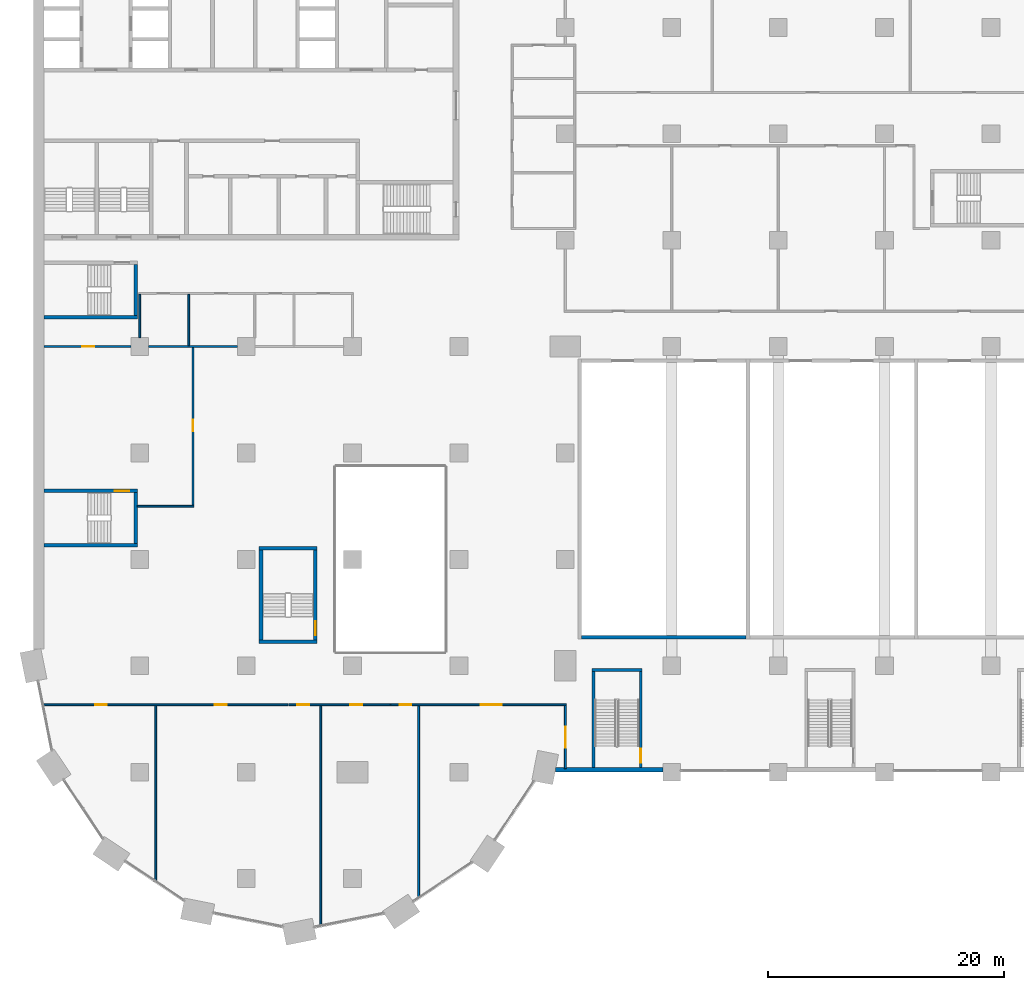
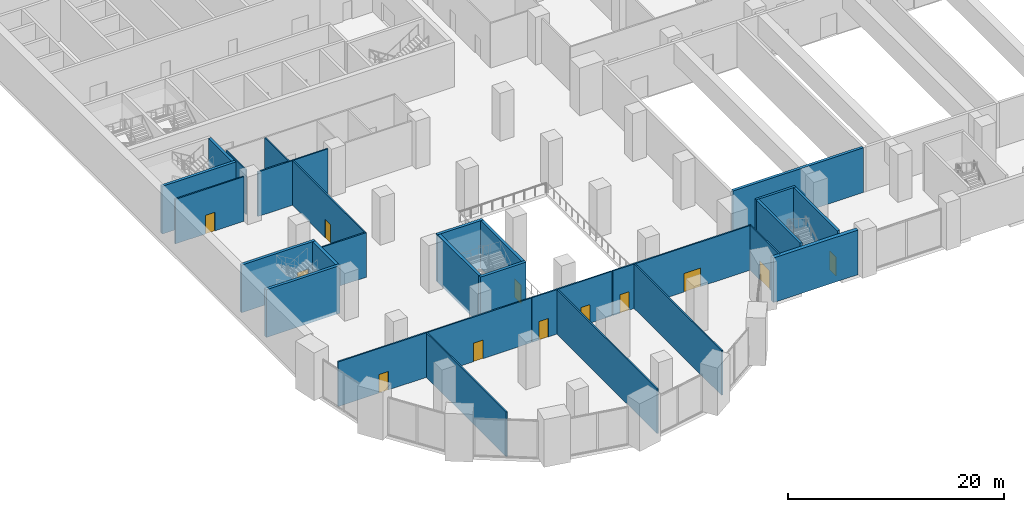
# One storey, part 15 of 43: 27 walls, 12 doors, 12 openings.
"""IFC4 building model written with IfcOpenShell, lengths in metres."""

from ifc_helpers import new_model, si_unit, direction, frame, frame_2d, origin, place, context, subcontext, project, spatial, rectangle, extrude, material, layer, layer_set, type_object, element, fill, save


model = new_model("IFC4")

# Units and contexts
model_context = context("Model", 3, precision=1e-05, world=origin(), true_north=direction((0.0, 1.0)))
body_context = subcontext(model_context, "Body", "Model", "MODEL_VIEW")
ifc_project = project(units=[si_unit("LENGTHUNIT", "METRE"), si_unit("AREAUNIT", "SQUARE_METRE"), si_unit("VOLUMEUNIT", "CUBIC_METRE"), si_unit("PLANEANGLEUNIT", "RADIAN"), si_unit("MASSUNIT", "GRAM", prefix="KILO")], contexts=[model_context])

# Site, building, storey
site_placement = place(None, origin())
site = spatial("IfcSite", under=ifc_project, at=site_placement, CompositionType="ELEMENT")
building_placement = place(site_placement, origin())
building = spatial("IfcBuilding", under=site, at=building_placement, Name="Hunhe Ridgeline Campus", CompositionType="ELEMENT")
storey_placement = place(building_placement, frame((0.0, 0.0, 11.39990234375)))
storey = spatial("IfcBuildingStorey", under=building, at=storey_placement, Name="L02", CompositionType="ELEMENT", Elevation=11.39990234375)

# Wall
ifc_material_1 = material(Name="Plastered blockwork", Category="masonry")
ifc_layer_1 = layer(ifc_material_1, 0.14990234375)
ifc_layer_set_1 = layer_set([ifc_layer_1], Name="Blockwork partition 150")
wall_type_1 = type_object("IfcWallType", Name="Blockwork partition 150", PredefinedType="PARTITIONING", material=ifc_layer_set_1)
wall_1_placement = place(storey_placement, frame((10.344970703125, 8.822021484375, 0.0), z_axis=(0.0, 0.0, 1.0), x_axis=(0.0, 1.0, 0.0)))
element("IfcWall", 1, at=wall_1_placement, inside=storey, type_object=wall_type_1, Name="L02 partition", PredefinedType="PARTITIONING", context=body_context, shape_type="SweptSolid", body=[
    extrude(rectangle(XDim=14.802978515625, YDim=0.14990234375, at=frame_2d((7.4013671875, 0.0))), origin(), (0.0, 0.0, 1.0), 5.050048828125),
])

# Wall, openings, doors
wall_2_placement = place(storey_placement, frame((0.842041015625, 23.699951171875, 0.0), z_axis=(0.0, 0.0, 1.0), x_axis=(1.0, 0.0, 0.0)))
wall_2 = element("IfcWall", 2, at=wall_2_placement, inside=storey, type_object=wall_type_1, Name="L02 partition", PredefinedType="PARTITIONING", context=body_context, shape_type="SweptSolid", body=[
    extrude(rectangle(XDim=20.677978515625, YDim=0.14990234375, at=frame_2d((10.3388671875, 0.0))), origin(), (0.0, 0.0, 1.0), 5.050048828125),
])
opening_1_placement = place(wall_2_placement, frame((4.3701171875, 0.0, 0.0)))
opening_1 = element("IfcOpeningElement", 3, at=opening_1_placement, cuts=wall_2, Name="Opening PD310", PredefinedType="OPENING", context=body_context, shape_type="SweptSolid", body=[
    extrude(rectangle(XDim=1.0, YDim=2.10009765625, at=frame_2d((0.5, 1.050048828125))), frame((0.0, 0.074951171875, 0.0), z_axis=(0.0, -1.0, 0.0), x_axis=(1.0, 0.0, 0.0)), (0.0, 0.0, 1.0), 0.14990234375),
])
opening_2_placement = place(wall_2_placement, frame((14.5029296875, 0.0, 0.0)))
opening_2 = element("IfcOpeningElement", 4, at=opening_2_placement, cuts=wall_2, Name="Opening PD311", PredefinedType="OPENING", context=body_context, shape_type="SweptSolid", body=[
    extrude(rectangle(XDim=1.0, YDim=2.10009765625, at=frame_2d((0.5, 1.050048828125))), frame((0.0, 0.074951171875, 0.0), z_axis=(0.0, -1.0, 0.0), x_axis=(1.0, 0.0, 0.0)), (0.0, 0.0, 1.0), 0.14990234375),
])
ifc_material_2 = material(Name="Timber", Category="wood")
door_type_1 = type_object("IfcDoorType", Name="Podium timber door 1000x2100", OperationType="NOTDEFINED", PredefinedType="DOOR", material=ifc_material_2)
door_1_placement = place(opening_1_placement, origin())
door_1 = element("IfcDoor", 5, at=door_1_placement, inside=storey, type_object=door_type_1, Name="Seminar Room 2.01 door", OperationType="SINGLE_SWING_LEFT", OverallHeight=2.10009765625, OverallWidth=1.0, PredefinedType="DOOR", context=body_context, shape_type="SweptSolid", body=[
    extrude(rectangle(XDim=1.0, YDim=2.10009765625, at=frame_2d((0.5, 1.050048828125))), frame((0.0, 0.02490234375, 0.0), z_axis=(0.0, -1.0, 0.0), x_axis=(1.0, 0.0, 0.0)), (0.0, 0.0, 1.0), 0.050048828125),
])
fill(opening_1, door_1)
door_2_placement = place(opening_2_placement, origin())
door_2 = element("IfcDoor", 6, at=door_2_placement, inside=storey, type_object=door_type_1, Name="Seminar Room 2.02 door", OperationType="SINGLE_SWING_RIGHT", OverallHeight=2.10009765625, OverallWidth=1.0, PredefinedType="DOOR", context=body_context, shape_type="SweptSolid", body=[
    extrude(rectangle(XDim=1.0, YDim=2.10009765625, at=frame_2d((0.5, 1.050048828125))), frame((0.0, 0.02490234375, 0.0), z_axis=(0.0, -1.0, 0.0), x_axis=(1.0, 0.0, 0.0)), (0.0, 0.0, 1.0), 0.050048828125),
])
fill(opening_2, door_2)

wall_3_placement = place(storey_placement, frame((21.580078125, 23.699951171875, 0.0), z_axis=(0.0, 0.0, 1.0), x_axis=(1.0, 0.0, 0.0)))
wall_3 = element("IfcWall", 7, at=wall_3_placement, inside=storey, type_object=wall_type_1, Name="L02 partition", PredefinedType="PARTITIONING", context=body_context, shape_type="SweptSolid", body=[
    extrude(rectangle(XDim=8.58984375, YDim=0.14990234375, at=frame_2d((4.294921875, 0.0))), origin(), (0.0, 0.0, 1.0), 5.050048828125),
])
opening_3_placement = place(wall_3_placement, frame((0.75, 0.0, 0.0)))
opening_3 = element("IfcOpeningElement", 8, at=opening_3_placement, cuts=wall_3, Name="Opening PD312", PredefinedType="OPENING", context=body_context, shape_type="SweptSolid", body=[
    extrude(rectangle(XDim=1.0, YDim=2.10009765625, at=frame_2d((0.5, 1.050048828125))), frame((0.0, 0.074951171875, 0.0), z_axis=(0.0, -1.0, 0.0), x_axis=(1.0, 0.0, 0.0)), (0.0, 0.0, 1.0), 0.14990234375),
])
opening_4_placement = place(wall_3_placement, frame((5.22998046875, 0.0, 0.0)))
opening_4 = element("IfcOpeningElement", 9, at=opening_4_placement, cuts=wall_3, Name="Opening PD313", PredefinedType="OPENING", context=body_context, shape_type="SweptSolid", body=[
    extrude(rectangle(XDim=1.0, YDim=2.10009765625, at=frame_2d((0.5, 1.050048828125))), frame((0.0, 0.074951171875, 0.0), z_axis=(0.0, -1.0, 0.0), x_axis=(1.0, 0.0, 0.0)), (0.0, 0.0, 1.0), 0.14990234375),
])
door_3_placement = place(opening_3_placement, origin())
door_3 = element("IfcDoor", 10, at=door_3_placement, inside=storey, type_object=door_type_1, Name="Seminar Room 2.02 door", OperationType="SINGLE_SWING_LEFT", OverallHeight=2.10009765625, OverallWidth=1.0, PredefinedType="DOOR", context=body_context, shape_type="SweptSolid", body=[
    extrude(rectangle(XDim=1.0, YDim=2.10009765625, at=frame_2d((0.5, 1.050048828125))), frame((0.0, 0.02490234375, 0.0), z_axis=(0.0, -1.0, 0.0), x_axis=(1.0, 0.0, 0.0)), (0.0, 0.0, 1.0), 0.050048828125),
])
fill(opening_3, door_3)
door_4_placement = place(opening_4_placement, origin())
door_4 = element("IfcDoor", 11, at=door_4_placement, inside=storey, type_object=door_type_1, Name="Seminar Room 2.03 door", OperationType="SINGLE_SWING_RIGHT", OverallHeight=2.10009765625, OverallWidth=1.0, PredefinedType="DOOR", context=body_context, shape_type="SweptSolid", body=[
    extrude(rectangle(XDim=1.0, YDim=2.10009765625, at=frame_2d((0.5, 1.050048828125))), frame((0.0, 0.02490234375, 0.0), z_axis=(0.0, -1.0, 0.0), x_axis=(1.0, 0.0, 0.0)), (0.0, 0.0, 1.0), 0.050048828125),
])
fill(opening_4, door_4)

wall_4_placement = place(storey_placement, frame((30.22998046875, 23.699951171875, 0.0), z_axis=(0.0, 0.0, 1.0), x_axis=(1.0, 0.0, 0.0)))
wall_4 = element("IfcWall", 12, at=wall_4_placement, inside=storey, type_object=wall_type_1, Name="L02 partition", PredefinedType="PARTITIONING", context=body_context, shape_type="SweptSolid", body=[
    extrude(rectangle(XDim=14.844970703125, YDim=0.14990234375, at=frame_2d((7.42236328125, 0.0))), origin(), (0.0, 0.0, 1.0), 5.050048828125),
])
opening_5_placement = place(wall_4_placement, frame((0.75, 0.0, 0.0)))
opening_5 = element("IfcOpeningElement", 13, at=opening_5_placement, cuts=wall_4, Name="Opening PD314", PredefinedType="OPENING", context=body_context, shape_type="SweptSolid", body=[
    extrude(rectangle(XDim=1.0, YDim=2.10009765625, at=frame_2d((0.5, 1.050048828125))), frame((0.0, 0.074951171875, 0.0), z_axis=(0.0, -1.0, 0.0), x_axis=(1.0, 0.0, 0.0)), (0.0, 0.0, 1.0), 0.14990234375),
])
opening_6_placement = place(wall_4_placement, frame((7.60595703125, 0.0, 0.0)))
opening_6 = element("IfcOpeningElement", 14, at=opening_6_placement, cuts=wall_4, Name="Opening PD315", PredefinedType="OPENING", context=body_context, shape_type="SweptSolid", body=[
    extrude(rectangle(XDim=1.800048828125, YDim=2.10009765625, at=frame_2d((0.89990234375, 1.050048828125))), frame((0.0, 0.074951171875, 0.0), z_axis=(0.0, -1.0, 0.0), x_axis=(1.0, 0.0, 0.0)), (0.0, 0.0, 1.0), 0.14990234375),
])
door_5_placement = place(opening_5_placement, origin())
door_5 = element("IfcDoor", 15, at=door_5_placement, inside=storey, type_object=door_type_1, Name="Seminar Room 2.03 door", OperationType="SINGLE_SWING_LEFT", OverallHeight=2.10009765625, OverallWidth=1.0, PredefinedType="DOOR", context=body_context, shape_type="SweptSolid", body=[
    extrude(rectangle(XDim=1.0, YDim=2.10009765625, at=frame_2d((0.5, 1.050048828125))), frame((0.0, 0.02490234375, 0.0), z_axis=(0.0, -1.0, 0.0), x_axis=(1.0, 0.0, 0.0)), (0.0, 0.0, 1.0), 0.050048828125),
])
fill(opening_5, door_5)
door_type_2 = type_object("IfcDoorType", Name="Podium timber double door 1800x2100", OperationType="NOTDEFINED", PredefinedType="DOOR", material=ifc_material_2)
door_6_placement = place(opening_6_placement, origin())
door_6 = element("IfcDoor", 16, at=door_6_placement, inside=storey, type_object=door_type_2, Name="Student Lounge door", OperationType="DOUBLE_DOOR_SINGLE_SWING", OverallHeight=2.10009765625, OverallWidth=1.800048828125, PredefinedType="DOOR", context=body_context, shape_type="SweptSolid", body=[
    extrude(rectangle(XDim=1.800048828125, YDim=2.10009765625, at=frame_2d((0.89990234375, 1.050048828125))), frame((0.0, 0.02490234375, 0.0), z_axis=(0.0, -1.0, 0.0), x_axis=(1.0, 0.0, 0.0)), (0.0, 0.0, 1.0), 0.050048828125),
])
fill(opening_6, door_6)

# Walls
wall_5_placement = place(storey_placement, frame((24.31005859375, 5.0458984375, 0.0), z_axis=(0.0, 0.0, 1.0), x_axis=(0.0, 1.0, 0.0)))
element("IfcWall", 17, at=wall_5_placement, inside=storey, type_object=wall_type_1, Name="L02 partition", PredefinedType="PARTITIONING", context=body_context, shape_type="SweptSolid", body=[
    extrude(rectangle(XDim=18.5791015625, YDim=0.14990234375, at=frame_2d((9.28955078125, 0.0))), origin(), (0.0, 0.0, 1.0), 5.050048828125),
])
wall_6_placement = place(storey_placement, frame((32.5859375, 7.43994140625, 0.0), z_axis=(0.0, 0.0, 1.0), x_axis=(0.0, 1.0, 0.0)))
element("IfcWall", 18, at=wall_6_placement, inside=storey, type_object=wall_type_1, Name="L02 partition", PredefinedType="PARTITIONING", context=body_context, shape_type="SweptSolid", body=[
    extrude(rectangle(XDim=16.18505859375, YDim=0.14990234375, at=frame_2d((8.092529296875, 0.0))), origin(), (0.0, 0.0, 1.0), 5.050048828125),
])

# Wall, opening, door
wall_7_placement = place(storey_placement, frame((45.0, 23.625, 0.0), z_axis=(0.0, 0.0, 1.0), x_axis=(0.0, -1.0, 0.0)))
wall_7 = element("IfcWall", 19, at=wall_7_placement, inside=storey, type_object=wall_type_1, Name="L02 partition", PredefinedType="PARTITIONING", context=body_context, shape_type="SweptSolid", body=[
    extrude(rectangle(XDim=5.324951171875, YDim=0.14990234375, at=frame_2d((2.66259765625, 0.0))), origin(), (0.0, 0.0, 1.0), 5.050048828125),
])
opening_7_placement = place(wall_7_placement, frame((1.77490234375, 0.0, 0.0)))
opening_7 = element("IfcOpeningElement", 20, at=opening_7_placement, cuts=wall_7, Name="Opening PD316", PredefinedType="OPENING", context=body_context, shape_type="SweptSolid", body=[
    extrude(rectangle(XDim=1.800048828125, YDim=2.10009765625, at=frame_2d((0.89990234375, 1.050048828125))), frame((0.0, 0.074951171875, 0.0), z_axis=(0.0, -1.0, 0.0), x_axis=(1.0, 0.0, 0.0)), (0.0, 0.0, 1.0), 0.14990234375),
])
door_7_placement = place(opening_7_placement, origin())
door_7 = element("IfcDoor", 21, at=door_7_placement, inside=storey, type_object=door_type_2, Name="Student Lounge door", OperationType="DOUBLE_DOOR_SINGLE_SWING", OverallHeight=2.10009765625, OverallWidth=1.800048828125, PredefinedType="DOOR", context=body_context, shape_type="SweptSolid", body=[
    extrude(rectangle(XDim=1.800048828125, YDim=2.10009765625, at=frame_2d((0.89990234375, 1.050048828125))), frame((0.0, 0.02490234375, 0.0), z_axis=(0.0, -1.0, 0.0), x_axis=(1.0, 0.0, 0.0)), (0.0, 0.0, 1.0), 0.050048828125),
])
fill(opening_7, door_7)

wall_8_placement = place(storey_placement, frame((0.89990234375, 54.0, 0.0), z_axis=(0.0, 0.0, 1.0), x_axis=(1.0, 0.0, 0.0)))
wall_8 = element("IfcWall", 22, at=wall_8_placement, inside=storey, type_object=wall_type_1, Name="L02 partition", PredefinedType="PARTITIONING", context=body_context, shape_type="SweptSolid", body=[
    extrude(rectangle(XDim=7.35009765625, YDim=0.14990234375, at=frame_2d((3.675048828125, 0.0))), origin(), (0.0, 0.0, 1.0), 5.050048828125),
])
opening_8_placement = place(wall_8_placement, frame((3.25, 0.0, 0.0)))
opening_8 = element("IfcOpeningElement", 23, at=opening_8_placement, cuts=wall_8, Name="Opening PD318", PredefinedType="OPENING", context=body_context, shape_type="SweptSolid", body=[
    extrude(rectangle(XDim=1.0, YDim=2.10009765625, at=frame_2d((0.5, 1.050048828125))), frame((0.0, 0.074951171875, 0.0), z_axis=(0.0, -1.0, 0.0), x_axis=(1.0, 0.0, 0.0)), (0.0, 0.0, 1.0), 0.14990234375),
])
door_8_placement = place(opening_8_placement, origin())
door_8 = element("IfcDoor", 24, at=door_8_placement, inside=storey, type_object=door_type_1, Name="Department Office 2.04 door", OperationType="SINGLE_SWING_RIGHT", OverallHeight=2.10009765625, OverallWidth=1.0, PredefinedType="DOOR", context=body_context, shape_type="SweptSolid", body=[
    extrude(rectangle(XDim=1.0, YDim=2.10009765625, at=frame_2d((0.5, 1.050048828125))), frame((0.0, 0.02490234375, 0.0), z_axis=(0.0, -1.0, 0.0), x_axis=(1.0, 0.0, 0.0)), (0.0, 0.0, 1.0), 0.050048828125),
])
fill(opening_8, door_8)

# Wall
wall_9_placement = place(storey_placement, frame((9.75, 54.0, 0.0), z_axis=(0.0, 0.0, 1.0), x_axis=(1.0, 0.0, 0.0)))
element("IfcWall", 25, at=wall_9_placement, inside=storey, type_object=wall_type_1, Name="L02 partition", PredefinedType="PARTITIONING", context=body_context, shape_type="SweptSolid", body=[
    extrude(rectangle(XDim=7.5, YDim=0.14990234375, at=frame_2d((3.75, 0.0))), origin(), (0.0, 0.0, 1.0), 5.050048828125),
])

# Wall, opening, door
wall_10_placement = place(storey_placement, frame((13.5, 53.925048828125, 0.0), z_axis=(0.0, 0.0, 1.0), x_axis=(0.0, -1.0, 0.0)))
wall_10 = element("IfcWall", 26, at=wall_10_placement, inside=storey, type_object=wall_type_1, Name="L02 partition", PredefinedType="PARTITIONING", context=body_context, shape_type="SweptSolid", body=[
    extrude(rectangle(XDim=13.35009765625, YDim=0.14990234375, at=frame_2d((6.675048828125, 0.0))), origin(), (0.0, 0.0, 1.0), 5.050048828125),
])
opening_9_placement = place(wall_10_placement, frame((6.10009765625, 0.0, 0.0)))
opening_9 = element("IfcOpeningElement", 27, at=opening_9_placement, cuts=wall_10, Name="Opening PD317", PredefinedType="OPENING", context=body_context, shape_type="SweptSolid", body=[
    extrude(rectangle(XDim=1.0, YDim=2.10009765625, at=frame_2d((0.5, 1.050048828125))), frame((0.0, 0.074951171875, 0.0), z_axis=(0.0, -1.0, 0.0), x_axis=(1.0, 0.0, 0.0)), (0.0, 0.0, 1.0), 0.14990234375),
])
door_9_placement = place(opening_9_placement, origin())
door_9 = element("IfcDoor", 28, at=door_9_placement, inside=storey, type_object=door_type_1, Name="Department Office 2.04 door", OperationType="SINGLE_SWING_LEFT", OverallHeight=2.10009765625, OverallWidth=1.0, PredefinedType="DOOR", context=body_context, shape_type="SweptSolid", body=[
    extrude(rectangle(XDim=1.0, YDim=2.10009765625, at=frame_2d((0.5, 1.050048828125))), frame((0.0, 0.02490234375, 0.0), z_axis=(0.0, -1.0, 0.0), x_axis=(1.0, 0.0, 0.0)), (0.0, 0.0, 1.0), 0.050048828125),
])
fill(opening_9, door_9)

# Walls
wall_11_placement = place(storey_placement, frame((13.574951171875, 40.5, 0.0), z_axis=(0.0, 0.0, 1.0), x_axis=(-1.0, 0.0, 0.0)))
element("IfcWall", 29, at=wall_11_placement, inside=storey, type_object=wall_type_1, Name="L02 partition", PredefinedType="PARTITIONING", context=body_context, shape_type="SweptSolid", body=[
    extrude(rectangle(XDim=4.77490234375, YDim=0.14990234375, at=frame_2d((2.387451171875, 0.0))), origin(), (0.0, 0.0, 1.0), 5.050048828125),
])
wall_12_placement = place(storey_placement, frame((13.137939453125, 54.074951171875, 0.0), z_axis=(0.0, 0.0, 1.0), x_axis=(0.0, 1.0, 0.0)))
element("IfcWall", 30, at=wall_12_placement, inside=storey, type_object=wall_type_1, Name="L02 partition", PredefinedType="PARTITIONING", context=body_context, shape_type="SweptSolid", body=[
    extrude(rectangle(XDim=4.35009765625, YDim=0.14990234375, at=frame_2d((2.175048828125, 0.0))), origin(), (0.0, 0.0, 1.0), 5.050048828125),
])
wall_13_placement = place(storey_placement, frame((9.0, 54.75, 0.0), z_axis=(0.0, 0.0, 1.0), x_axis=(0.0, 1.0, 0.0)))
element("IfcWall", 31, at=wall_13_placement, inside=storey, type_object=wall_type_1, Name="L02 partition", PredefinedType="PARTITIONING", context=body_context, shape_type="SweptSolid", body=[
    extrude(rectangle(XDim=3.675048828125, YDim=0.14990234375, at=frame_2d((1.83740234375, 0.0))), origin(), (0.0, 0.0, 1.0), 5.050048828125),
])
ifc_material_3 = material(Name="Concrete C40", Category="concrete")
ifc_layer_2 = layer(ifc_material_3, 0.300048828125)
ifc_layer_set_2 = layer_set([ifc_layer_2], Name="Lecture hall wall 300 C40")
wall_type_2 = type_object("IfcWallType", Name="Lecture hall wall 300 C40", PredefinedType="SOLIDWALL", material=ifc_layer_set_2)
wall_14_placement = place(storey_placement, frame((60.300048828125, 29.39990234375, 0.0), z_axis=(0.0, 0.0, 1.0), x_axis=(-1.0, 0.0, 0.0)))
element("IfcWall", 32, at=wall_14_placement, inside=storey, type_object=wall_type_2, Name="L02 lecture hall wall", PredefinedType="SOLIDWALL", context=body_context, shape_type="SweptSolid", body=[
    extrude(rectangle(XDim=13.949951171875, YDim=0.300048828125, at=frame_2d((6.97509765625, 0.0))), origin(), (0.0, 0.0, 1.0), 5.050048828125),
])
ifc_layer_3 = layer(ifc_material_3, 0.39990234375)
ifc_layer_set_3 = layer_set([ifc_layer_3], Name="Stair shaft facade wall 400 C40")
wall_type_3 = type_object("IfcWallType", Name="Stair shaft facade wall 400 C40", PredefinedType="SOLIDWALL", material=ifc_layer_set_3)
wall_15_placement = place(storey_placement, frame((53.25, 18.199951171875, 0.0), z_axis=(0.0, 0.0, 1.0), x_axis=(-1.0, 0.0, 0.0)))
element("IfcWall", 33, at=wall_15_placement, inside=storey, type_object=wall_type_3, Name="L02 stair facade wall", PredefinedType="SOLIDWALL", context=body_context, shape_type="SweptSolid", body=[
    extrude(rectangle(XDim=9.0927734375, YDim=0.39990234375, at=frame_2d((4.54638671875, 0.0))), origin(), (0.0, 0.0, 1.0), 5.050048828125),
])
ifc_layer_4 = layer(ifc_material_3, 0.25)
ifc_layer_set_4 = layer_set([ifc_layer_4], Name="Stair shaft wall 250 C40")
wall_type_4 = type_object("IfcWallType", Name="Stair shaft wall 250 C40", PredefinedType="SOLIDWALL", material=ifc_layer_set_4)
wall_16_placement = place(storey_placement, frame((47.375, 18.39990234375, 0.0), z_axis=(0.0, 0.0, 1.0), x_axis=(0.0, 1.0, 0.0)))
element("IfcWall", 34, at=wall_16_placement, inside=storey, type_object=wall_type_4, Name="L02 PS1 shaft wall", PredefinedType="SOLIDWALL", context=body_context, shape_type="SweptSolid", body=[
    extrude(rectangle(XDim=8.10009765625, YDim=0.25, at=frame_2d((4.050048828125, 0.0))), origin(), (0.0, 0.0, 1.0), 5.400146484375),
])

# Wall, opening, door
wall_17_placement = place(storey_placement, frame((51.375, 26.5, 0.0), z_axis=(0.0, 0.0, 1.0), x_axis=(0.0, -1.0, 0.0)))
wall_17 = element("IfcWall", 35, at=wall_17_placement, inside=storey, type_object=wall_type_4, Name="L02 PS1 shaft wall", PredefinedType="SOLIDWALL", context=body_context, shape_type="SweptSolid", body=[
    extrude(rectangle(XDim=8.10009765625, YDim=0.25, at=frame_2d((4.050048828125, 0.0))), origin(), (0.0, 0.0, 1.0), 5.400146484375),
])
opening_10_placement = place(wall_17_placement, frame((6.5, 0.0, 0.0)))
opening_10 = element("IfcOpeningElement", 36, at=opening_10_placement, cuts=wall_17, Name="Opening PD301", PredefinedType="OPENING", context=body_context, shape_type="SweptSolid", body=[
    extrude(rectangle(XDim=1.199951171875, YDim=2.10009765625, at=frame_2d((0.60009765625, 1.050048828125))), frame((0.0, 0.125, 0.0), z_axis=(0.0, -1.0, 0.0), x_axis=(1.0, 0.0, 0.0)), (0.0, 0.0, 1.0), 0.25),
])
ifc_material_4 = material(Name="Steel Q235", Category="steel")
door_type_3 = type_object("IfcDoorType", Name="Podium fire door 1200x2100 FD60", OperationType="NOTDEFINED", PredefinedType="DOOR", material=ifc_material_4)
door_10_placement = place(opening_10_placement, origin())
door_10 = element("IfcDoor", 37, at=door_10_placement, inside=storey, type_object=door_type_3, Name="Stair door PS1", OperationType="SINGLE_SWING_LEFT", OverallHeight=2.10009765625, OverallWidth=1.199951171875, PredefinedType="DOOR", context=body_context, shape_type="SweptSolid", body=[
    extrude(rectangle(XDim=1.199951171875, YDim=2.10009765625, at=frame_2d((0.60009765625, 1.050048828125))), frame((0.0, 0.02490234375, 0.0), z_axis=(0.0, -1.0, 0.0), x_axis=(1.0, 0.0, 0.0)), (0.0, 0.0, 1.0), 0.050048828125),
])
fill(opening_10, door_10)

# Walls
wall_18_placement = place(storey_placement, frame((47.25, 26.625, 0.0), z_axis=(0.0, 0.0, 1.0), x_axis=(1.0, 0.0, 0.0)))
element("IfcWall", 38, at=wall_18_placement, inside=storey, type_object=wall_type_4, Name="L02 PS1 shaft wall", PredefinedType="SOLIDWALL", context=body_context, shape_type="SweptSolid", body=[
    extrude(rectangle(XDim=4.25, YDim=0.25, at=frame_2d((2.125, 0.0))), origin(), (0.0, 0.0, 1.0), 5.400146484375),
])
ifc_material_5 = material(Name="Concrete C80", Category="concrete")
ifc_layer_5 = layer(ifc_material_5, 0.300048828125)
ifc_layer_set_5 = layer_set([ifc_layer_5], Name="Stair wall 300 reinforced concrete C80")
wall_type_5 = type_object("IfcWallType", Name="Stair wall 300 reinforced concrete C80", PredefinedType="SOLIDWALL", material=ifc_layer_set_5)
for number, where, z_axis, x_axis, name in (
    (39, (19.10009765625, 29.050048828125, -0.349853515625), (0.0, 0.0, 1.0), (1.0, 0.0, 0.0), "L02 core wall 1"),
    (40, (19.10009765625, 36.949951171875, -0.349853515625), (0.0, 0.0, 1.0), (1.0, 0.0, 0.0), "L02 core wall 2"),
):
    element("IfcWall", number, at=place(storey_placement, frame(where, z_axis=z_axis, x_axis=x_axis)), inside=storey, type_object=wall_type_5, Name=name, PredefinedType="SOLIDWALL", context=body_context, shape_type="SweptSolid", body=[
        extrude(rectangle(XDim=4.89990234375, YDim=0.300048828125, at=frame_2d((2.449951171875, 0.0))), origin(), (0.0, 0.0, 1.0), 5.39990234375),
    ])
wall_19_placement = place(storey_placement, frame((0.89990234375, 37.199951171875, -0.349853515625), z_axis=(0.0, 0.0, 1.0), x_axis=(1.0, 0.0, 0.0)))
element("IfcWall", 41, at=wall_19_placement, inside=storey, type_object=wall_type_5, Name="L02 core wall 3", PredefinedType="SOLIDWALL", context=body_context, shape_type="SweptSolid", body=[
    extrude(rectangle(XDim=7.900146484375, YDim=0.300048828125, at=frame_2d((3.9501953125, 0.0))), origin(), (0.0, 0.0, 1.0), 5.39990234375),
])

# Wall, opening, door
wall_20_placement = place(storey_placement, frame((0.89990234375, 41.800048828125, -0.349853515625), z_axis=(0.0, 0.0, 1.0), x_axis=(1.0, 0.0, 0.0)))
wall_20 = element("IfcWall", 42, at=wall_20_placement, inside=storey, type_object=wall_type_5, Name="L02 core wall 4", PredefinedType="SOLIDWALL", context=body_context, shape_type="SweptSolid", body=[
    extrude(rectangle(XDim=7.900146484375, YDim=0.300048828125, at=frame_2d((3.9501953125, 0.0))), origin(), (0.0, 0.0, 1.0), 5.39990234375),
])
opening_11_placement = place(wall_20_placement, frame((6.0, 0.0, 0.35009765625)))
opening_11 = element("IfcOpeningElement", 43, at=opening_11_placement, cuts=wall_20, Name="Opening CD21", PredefinedType="OPENING", context=body_context, shape_type="SweptSolid", body=[
    extrude(rectangle(XDim=1.199951171875, YDim=2.10009765625, at=frame_2d((0.60009765625, 1.050048828125))), frame((0.0, 0.14990234375, 0.0), z_axis=(0.0, -1.0, 0.0), x_axis=(1.0, 0.0, 0.0)), (0.0, 0.0, 1.0), 0.300048828125),
])
ifc_material_6 = material(Name="Hollow metal fire door leaf")
door_type_4 = type_object("IfcDoorType", Name="Stair door 1200x2100 FD60", OperationType="SINGLE_SWING_LEFT", PredefinedType="DOOR", material=ifc_material_6)
door_11_placement = place(opening_11_placement, origin())
door_11 = element("IfcDoor", 44, at=door_11_placement, inside=storey, type_object=door_type_4, Name="L02 door W1", OperationType="SINGLE_SWING_LEFT", OverallHeight=2.10009765625, OverallWidth=1.199951171875, PredefinedType="DOOR", context=body_context, shape_type="SweptSolid", body=[
    extrude(rectangle(XDim=1.199951171875, YDim=2.10009765625, at=frame_2d((0.60009765625, 1.050048828125))), frame((0.0, 0.02490234375, 0.0), z_axis=(0.0, -1.0, 0.0), x_axis=(1.0, 0.0, 0.0)), (0.0, 0.0, 1.0), 0.050048828125),
])
fill(opening_11, door_11)

# Walls
wall_21_placement = place(storey_placement, frame((0.89990234375, 56.5, -0.349853515625), z_axis=(0.0, 0.0, 1.0), x_axis=(1.0, 0.0, 0.0)))
element("IfcWall", 45, at=wall_21_placement, inside=storey, type_object=wall_type_5, Name="L02 core wall 5", PredefinedType="SOLIDWALL", context=body_context, shape_type="SweptSolid", body=[
    extrude(rectangle(XDim=7.900146484375, YDim=0.300048828125, at=frame_2d((3.9501953125, 0.0))), origin(), (0.0, 0.0, 1.0), 5.39990234375),
])
wall_22_placement = place(storey_placement, frame((8.64990234375, 37.35009765625, -0.349853515625), z_axis=(0.0, 0.0, 1.0), x_axis=(0.0, 1.0, 0.0)))
element("IfcWall", 46, at=wall_22_placement, inside=storey, type_object=wall_type_5, Name="L02 core wall 39", PredefinedType="SOLIDWALL", context=body_context, shape_type="SweptSolid", body=[
    extrude(rectangle(XDim=4.2998046875, YDim=0.300048828125, at=frame_2d((2.14990234375, 0.0))), origin(), (0.0, 0.0, 1.0), 5.39990234375),
])
wall_23_placement = place(storey_placement, frame((8.64990234375, 56.64990234375, -0.349853515625), z_axis=(0.0, 0.0, 1.0), x_axis=(0.0, 1.0, 0.0)))
element("IfcWall", 47, at=wall_23_placement, inside=storey, type_object=wall_type_5, Name="L02 core wall 40", PredefinedType="SOLIDWALL", context=body_context, shape_type="SweptSolid", body=[
    extrude(rectangle(XDim=4.300048828125, YDim=0.300048828125, at=frame_2d((2.14990234375, 0.0))), origin(), (0.0, 0.0, 1.0), 5.39990234375),
])
wall_24_placement = place(storey_placement, frame((19.25, 29.199951171875, -0.349853515625), z_axis=(0.0, 0.0, 1.0), x_axis=(0.0, 1.0, 0.0)))
element("IfcWall", 48, at=wall_24_placement, inside=storey, type_object=wall_type_5, Name="L02 core wall 50", PredefinedType="SOLIDWALL", context=body_context, shape_type="SweptSolid", body=[
    extrude(rectangle(XDim=7.60009765625, YDim=0.300048828125, at=frame_2d((3.800048828125, 0.0))), origin(), (0.0, 0.0, 1.0), 5.39990234375),
])

# Wall, opening, door
wall_25_placement = place(storey_placement, frame((23.85009765625, 29.199951171875, -0.349853515625), z_axis=(0.0, 0.0, 1.0), x_axis=(0.0, 1.0, 0.0)))
wall_25 = element("IfcWall", 49, at=wall_25_placement, inside=storey, type_object=wall_type_5, Name="L02 core wall 55", PredefinedType="SOLIDWALL", context=body_context, shape_type="SweptSolid", body=[
    extrude(rectangle(XDim=7.60009765625, YDim=0.300048828125, at=frame_2d((3.800048828125, 0.0))), origin(), (0.0, 0.0, 1.0), 5.39990234375),
])
opening_12_placement = place(wall_25_placement, frame((0.375, 0.0, 0.35009765625)))
opening_12 = element("IfcOpeningElement", 50, at=opening_12_placement, cuts=wall_25, Name="Opening CD23", PredefinedType="OPENING", context=body_context, shape_type="SweptSolid", body=[
    extrude(rectangle(XDim=1.199951171875, YDim=2.10009765625, at=frame_2d((0.60009765625, 1.050048828125))), frame((0.0, 0.14990234375, 0.0), z_axis=(0.0, -1.0, 0.0), x_axis=(1.0, 0.0, 0.0)), (0.0, 0.0, 1.0), 0.300048828125),
])
door_12_placement = place(opening_12_placement, frame((1.199951171875, 0.0, 0.0), z_axis=(0.0, 0.0, 1.0), x_axis=(-1.0, 0.0, 0.0)))
door_12 = element("IfcDoor", 51, at=door_12_placement, inside=storey, type_object=door_type_4, Name="L02 door W3", OperationType="SINGLE_SWING_RIGHT", OverallHeight=2.10009765625, OverallWidth=1.199951171875, PredefinedType="DOOR", context=body_context, shape_type="SweptSolid", body=[
    extrude(rectangle(XDim=1.199951171875, YDim=2.10009765625, at=frame_2d((0.60009765625, 1.050048828125))), frame((0.0, 0.02490234375, 0.0), z_axis=(0.0, -1.0, 0.0), x_axis=(1.0, 0.0, 0.0)), (0.0, 0.0, 1.0), 0.050048828125),
])
fill(opening_12, door_12)

save(model, "model.ifc")
